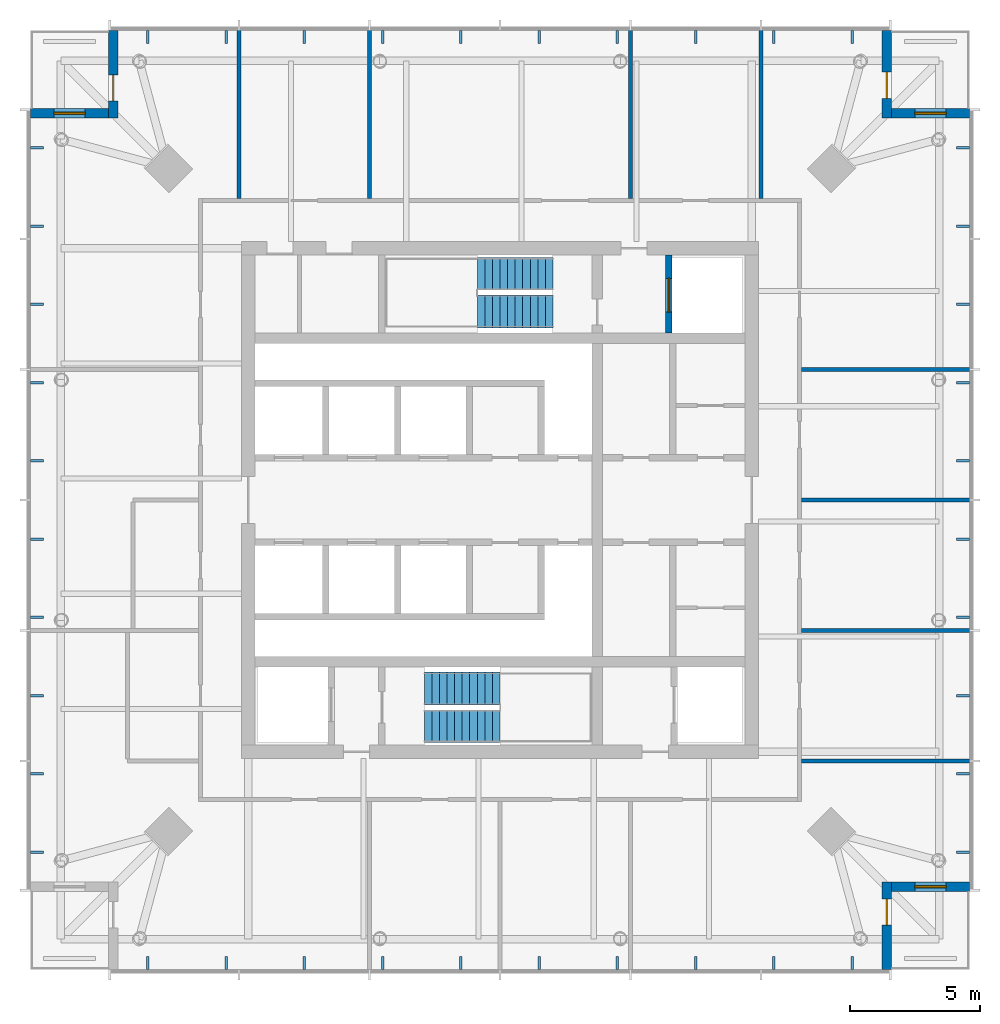
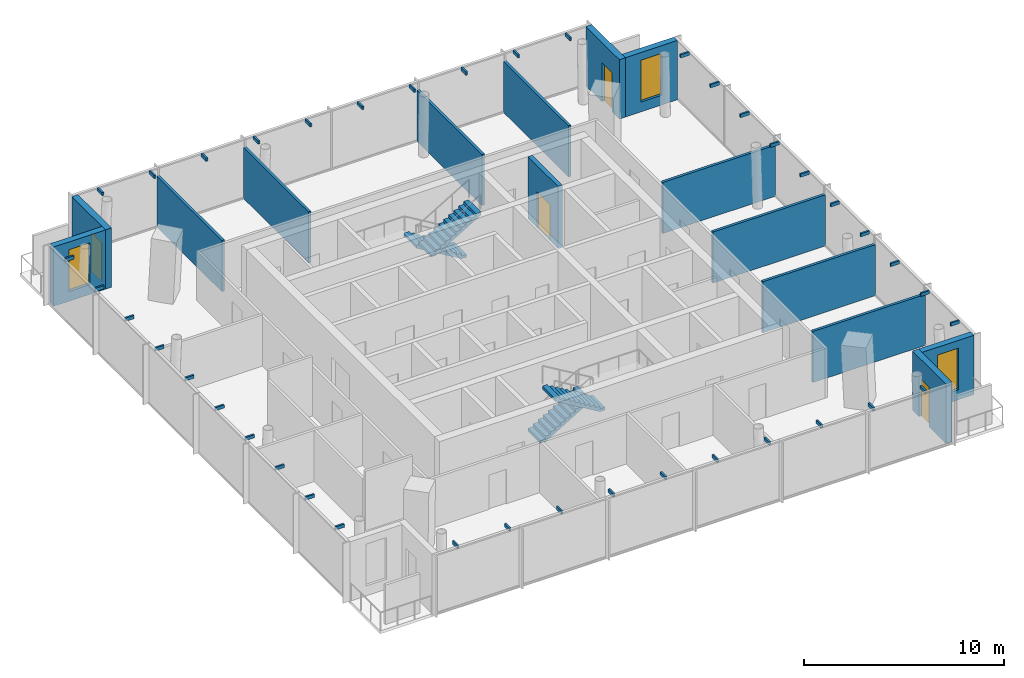
# One storey, part 6 of 7: 40 discrete accessories, 15 walls, 4 doors, 4 stair flights, 3 windows, 7 openings, 2 elements without a shape of their own.
"""IFC4 building model written with IfcOpenShell, lengths in metres."""

from ifc_helpers import new_model, si_unit, direction, frame, frame_2d, origin, origin_2d, place, context, subcontext, project, spatial, polyline, rectangle, outline, extrude, material, layer, layer_set, type_object, element, fill, aggregate, save


model = new_model("IFC4")

# Units and contexts
model_context = context("Model", 3, precision=1e-05, world=origin(), true_north=direction((0.0, 1.0)))
body_context = subcontext(model_context, "Body", "Model", "MODEL_VIEW")
ifc_project = project(units=[si_unit("LENGTHUNIT", "METRE"), si_unit("AREAUNIT", "SQUARE_METRE"), si_unit("VOLUMEUNIT", "CUBIC_METRE"), si_unit("PLANEANGLEUNIT", "RADIAN"), si_unit("MASSUNIT", "GRAM", prefix="KILO")], contexts=[model_context])

# Site, building, storey
site_placement = place(None, origin())
site = spatial("IfcSite", under=ifc_project, at=site_placement, CompositionType="ELEMENT")
building_placement = place(site_placement, origin())
building = spatial("IfcBuilding", under=site, at=building_placement, Name="Ostroluk Exchange", CompositionType="ELEMENT")
storey_placement = place(building_placement, frame((0.0, 0.0, 245.199951171875)))
storey = spatial("IfcBuildingStorey", under=building, at=storey_placement, Name="L63", CompositionType="ELEMENT", Elevation=245.199951171875)

# Wall, opening, door
ifc_material_1 = material(Name="Concrete C40/50", Category="concrete")
ifc_layer_1 = layer(ifc_material_1, 0.25)
ifc_layer_set_1 = layer_set([ifc_layer_1], Name="Core shaft wall 250")
wall_type_1 = type_object("IfcWallType", Name="Core shaft wall 250", PredefinedType="SHEAR", material=ifc_layer_set_1)
wall_1_placement = place(storey_placement, frame((51.47509765625, 52.39990234375, 0.0), z_axis=(0.0, 0.0, 1.0), x_axis=(0.0, 1.0, 0.0)))
wall_1 = element("IfcWall", 1, at=wall_1_placement, inside=storey, type_object=wall_type_1, Name="Firefighting lift shaft wall", PredefinedType="SHEAR", context=body_context, shape_type="SweptSolid", body=[
    extrude(rectangle(XDim=3.0, YDim=0.25, at=frame_2d((1.5, 0.0))), origin(), (0.0, 0.0, 1.0), 3.800048828125),
])
opening_1_placement = place(wall_1_placement, frame((0.800048828125, 0.0, 0.0)))
opening_1 = element("IfcOpeningElement", 2, at=opening_1_placement, cuts=wall_1, Name="Opening LD2", PredefinedType="OPENING", context=body_context, shape_type="SweptSolid", body=[
    extrude(rectangle(XDim=1.300048828125, YDim=2.199951171875, at=frame_2d((0.64990234375, 1.10009765625))), frame((0.0, 0.135009765625, 0.0), z_axis=(0.0, -1.0, 0.0), x_axis=(1.0, 0.0, 0.0)), (0.0, 0.0, 1.0), 0.27001953125),
])
ifc_material_2 = material(Name="Stainless steel", Category="steel")
door_type_1 = type_object("IfcDoorType", Name="Lift landing door E 60 1300 x 2200", OperationType="DOUBLE_DOOR_SLIDING", PredefinedType="DOOR", material=ifc_material_2)
door_1_placement = place(opening_1_placement, origin())
door_1 = element("IfcDoor", 3, at=door_1_placement, inside=storey, type_object=door_type_1, Name="Lift FL2 landing door", OperationType="DOUBLE_DOOR_SLIDING", OverallHeight=2.199951171875, OverallWidth=1.300048828125, PredefinedType="DOOR", context=body_context, shape_type="SweptSolid", body=[
    extrude(rectangle(XDim=1.300048828125, YDim=2.199951171875, at=frame_2d((0.64990234375, 1.10009765625))), frame((0.0, 0.02490234375, 0.0), z_axis=(0.0, -1.0, 0.0), x_axis=(1.0, 0.0, 0.0)), (0.0, 0.0, 1.0), 0.050048828125),
])
fill(opening_1, door_1)

ifc_material_3 = material(Name="Limestone", Category="masonry")
ifc_layer_2 = layer(ifc_material_3, 0.35009765625)
ifc_layer_set_2 = layer_set([ifc_layer_2], Name="Limestone facade wall 350")
wall_type_2 = type_object("IfcWallType", Name="Limestone facade wall 350", PredefinedType="SOLIDWALL", material=ifc_layer_set_2)
wall_2_placement = place(storey_placement, frame((59.824951171875, 28.0, 0.0), z_axis=(0.0, 0.0, 1.0), x_axis=(0.0, 1.0, 0.0)))
wall_2 = element("IfcWall", 4, at=wall_2_placement, inside=storey, type_object=wall_type_2, Name="Office tower SE corner wall L63 a", PredefinedType="SOLIDWALL", context=body_context, shape_type="SweptSolid", body=[
    extrude(rectangle(XDim=3.35009765625, YDim=0.35009765625, at=frame_2d((1.675048828125, 0.0))), origin(), (0.0, 0.0, 1.0), 3.6201171875),
])
opening_2_placement = place(wall_2_placement, frame((1.699951171875, 0.0, 0.0)))
opening_2 = element("IfcOpeningElement", 5, at=opening_2_placement, cuts=wall_2, Name="Opening D-B1", PredefinedType="OPENING", context=body_context, shape_type="SweptSolid", body=[
    extrude(rectangle(XDim=1.0, YDim=2.39990234375, at=frame_2d((0.5, 1.199951171875))), frame((0.0, 0.18505859375, 0.0), z_axis=(0.0, -1.0, 0.0), x_axis=(1.0, 0.0, 0.0)), (0.0, 0.0, 1.0), 0.3701171875),
])
ifc_material_4 = material(Name="Bronze framed glazed door", Category="aluminium")
door_type_2 = type_object("IfcDoorType", Name="Balcony door 1000 x 2400", OperationType="SINGLE_SWING_LEFT", PredefinedType="DOOR", material=ifc_material_4)
door_2_placement = place(opening_2_placement, origin())
door_2 = element("IfcDoor", 6, at=door_2_placement, inside=storey, type_object=door_type_2, Name="Office tower SE balcony door L63", OperationType="SINGLE_SWING_RIGHT", OverallHeight=2.39990234375, OverallWidth=1.0, PredefinedType="DOOR", context=body_context, shape_type="SweptSolid", body=[
    extrude(rectangle(XDim=1.0, YDim=2.39990234375, at=frame_2d((0.5, 1.199951171875))), frame((0.0, 0.02490234375, 0.0), z_axis=(0.0, -1.0, 0.0), x_axis=(1.0, 0.0, 0.0)), (0.0, 0.0, 1.0), 0.050048828125),
])
fill(opening_2, door_2)

# Wall, opening, window
wall_3_placement = place(storey_placement, frame((60.0, 31.175048828125, 0.0), z_axis=(0.0, 0.0, 1.0), x_axis=(1.0, 0.0, 0.0)))
wall_3 = element("IfcWall", 7, at=wall_3_placement, inside=storey, type_object=wall_type_2, Name="Office tower SE corner wall L63 b", PredefinedType="SOLIDWALL", context=body_context, shape_type="SweptSolid", body=[
    extrude(rectangle(XDim=3.0, YDim=0.35009765625, at=frame_2d((1.5, 0.0))), origin(), (0.0, 0.0, 1.0), 3.6201171875),
])
opening_3_placement = place(wall_3_placement, frame((0.89990234375, 0.0, 0.60009765625)))
opening_3 = element("IfcOpeningElement", 8, at=opening_3_placement, cuts=wall_3, Name="Opening WN-L1", PredefinedType="OPENING", context=body_context, shape_type="SweptSolid", body=[
    extrude(rectangle(XDim=1.199951171875, YDim=2.550048828125, at=frame_2d((0.60009765625, 1.27490234375))), frame((0.0, 0.18505859375, 0.0), z_axis=(0.0, -1.0, 0.0), x_axis=(1.0, 0.0, 0.0)), (0.0, 0.0, 1.0), 0.3701171875),
])
ifc_material_5 = material(Name="Laminated clear glass", Category="glass")
window_type = type_object("IfcWindowType", Name="Lancet window 1200 x 2550", PartitioningType="SINGLE_PANEL", PredefinedType="WINDOW", material=ifc_material_5)
window_1_placement = place(opening_3_placement, origin())
window_1 = element("IfcWindow", 9, at=window_1_placement, inside=storey, type_object=window_type, Name="Office tower SE lancet window L63", OverallHeight=2.550048828125, OverallWidth=1.199951171875, PartitioningType="SINGLE_PANEL", PredefinedType="WINDOW", context=body_context, shape_type="SweptSolid", body=[
    extrude(rectangle(XDim=1.199951171875, YDim=2.550048828125, at=frame_2d((0.60009765625, 1.27490234375))), frame((0.0, 0.030029296875, 0.0), z_axis=(0.0, -1.0, 0.0), x_axis=(1.0, 0.0, 0.0)), (0.0, 0.0, 1.0), 0.06005859375),
])
fill(opening_3, window_1)

# Wall, opening, door
wall_4_placement = place(storey_placement, frame((59.824951171875, 64.0, 0.0), z_axis=(0.0, 0.0, 1.0), x_axis=(0.0, -1.0, 0.0)))
wall_4 = element("IfcWall", 10, at=wall_4_placement, inside=storey, type_object=wall_type_2, Name="Office tower NE corner wall L63 a", PredefinedType="SOLIDWALL", context=body_context, shape_type="SweptSolid", body=[
    extrude(rectangle(XDim=3.35009765625, YDim=0.35009765625, at=frame_2d((1.675048828125, 0.0))), origin(), (0.0, 0.0, 1.0), 3.6201171875),
])
opening_4_placement = place(wall_4_placement, frame((1.60009765625, 0.0, 0.0)))
opening_4 = element("IfcOpeningElement", 11, at=opening_4_placement, cuts=wall_4, Name="Opening D-B1", PredefinedType="OPENING", context=body_context, shape_type="SweptSolid", body=[
    extrude(rectangle(XDim=1.0, YDim=2.39990234375, at=frame_2d((0.5, 1.199951171875))), frame((0.0, 0.18505859375, 0.0), z_axis=(0.0, -1.0, 0.0), x_axis=(1.0, 0.0, 0.0)), (0.0, 0.0, 1.0), 0.3701171875),
])
door_3_placement = place(opening_4_placement, origin())
door_3 = element("IfcDoor", 12, at=door_3_placement, inside=storey, type_object=door_type_2, Name="Office tower NE balcony door L63", OperationType="SINGLE_SWING_RIGHT", OverallHeight=2.39990234375, OverallWidth=1.0, PredefinedType="DOOR", context=body_context, shape_type="SweptSolid", body=[
    extrude(rectangle(XDim=1.0, YDim=2.39990234375, at=frame_2d((0.5, 1.199951171875))), frame((0.0, 0.02490234375, 0.0), z_axis=(0.0, -1.0, 0.0), x_axis=(1.0, 0.0, 0.0)), (0.0, 0.0, 1.0), 0.050048828125),
])
fill(opening_4, door_3)

# Wall, opening, window
wall_5_placement = place(storey_placement, frame((60.0, 60.824951171875, 0.0), z_axis=(0.0, 0.0, 1.0), x_axis=(1.0, 0.0, 0.0)))
wall_5 = element("IfcWall", 13, at=wall_5_placement, inside=storey, type_object=wall_type_2, Name="Office tower NE corner wall L63 b", PredefinedType="SOLIDWALL", context=body_context, shape_type="SweptSolid", body=[
    extrude(rectangle(XDim=3.0, YDim=0.35009765625, at=frame_2d((1.5, 0.0))), origin(), (0.0, 0.0, 1.0), 3.6201171875),
])
opening_5_placement = place(wall_5_placement, frame((0.89990234375, 0.0, 0.60009765625)))
opening_5 = element("IfcOpeningElement", 14, at=opening_5_placement, cuts=wall_5, Name="Opening WN-L1", PredefinedType="OPENING", context=body_context, shape_type="SweptSolid", body=[
    extrude(rectangle(XDim=1.199951171875, YDim=2.550048828125, at=frame_2d((0.60009765625, 1.27490234375))), frame((0.0, 0.18505859375, 0.0), z_axis=(0.0, -1.0, 0.0), x_axis=(1.0, 0.0, 0.0)), (0.0, 0.0, 1.0), 0.3701171875),
])
window_2_placement = place(opening_5_placement, origin())
window_2 = element("IfcWindow", 15, at=window_2_placement, inside=storey, type_object=window_type, Name="Office tower NE lancet window L63", OverallHeight=2.550048828125, OverallWidth=1.199951171875, PartitioningType="SINGLE_PANEL", PredefinedType="WINDOW", context=body_context, shape_type="SweptSolid", body=[
    extrude(rectangle(XDim=1.199951171875, YDim=2.550048828125, at=frame_2d((0.60009765625, 1.27490234375))), frame((0.0, 0.030029296875, 0.0), z_axis=(0.0, -1.0, 0.0), x_axis=(1.0, 0.0, 0.0)), (0.0, 0.0, 1.0), 0.06005859375),
])
fill(opening_5, window_2)

# Wall, opening, door
wall_6_placement = place(storey_placement, frame((30.175048828125, 64.0, 0.0), z_axis=(0.0, 0.0, 1.0), x_axis=(0.0, -1.0, 0.0)))
wall_6 = element("IfcWall", 16, at=wall_6_placement, inside=storey, type_object=wall_type_2, Name="Office tower NW corner wall L63 a", PredefinedType="SOLIDWALL", context=body_context, shape_type="SweptSolid", body=[
    extrude(rectangle(XDim=3.35009765625, YDim=0.35009765625, at=frame_2d((1.675048828125, 0.0))), origin(), (0.0, 0.0, 1.0), 3.6201171875),
])
opening_6_placement = place(wall_6_placement, frame((1.699951171875, 0.0, 0.0)))
opening_6 = element("IfcOpeningElement", 17, at=opening_6_placement, cuts=wall_6, Name="Opening D-B1", PredefinedType="OPENING", context=body_context, shape_type="SweptSolid", body=[
    extrude(rectangle(XDim=1.0, YDim=2.39990234375, at=frame_2d((0.5, 1.199951171875))), frame((0.0, 0.18505859375, 0.0), z_axis=(0.0, -1.0, 0.0), x_axis=(1.0, 0.0, 0.0)), (0.0, 0.0, 1.0), 0.3701171875),
])
door_4_placement = place(opening_6_placement, origin())
door_4 = element("IfcDoor", 18, at=door_4_placement, inside=storey, type_object=door_type_2, Name="Office tower NW balcony door L63", OperationType="SINGLE_SWING_RIGHT", OverallHeight=2.39990234375, OverallWidth=1.0, PredefinedType="DOOR", context=body_context, shape_type="SweptSolid", body=[
    extrude(rectangle(XDim=1.0, YDim=2.39990234375, at=frame_2d((0.5, 1.199951171875))), frame((0.0, 0.02490234375, 0.0), z_axis=(0.0, -1.0, 0.0), x_axis=(1.0, 0.0, 0.0)), (0.0, 0.0, 1.0), 0.050048828125),
])
fill(opening_6, door_4)

# Wall, opening, window
wall_7_placement = place(storey_placement, frame((30.0, 60.824951171875, 0.0), z_axis=(0.0, 0.0, 1.0), x_axis=(-1.0, 0.0, 0.0)))
wall_7 = element("IfcWall", 19, at=wall_7_placement, inside=storey, type_object=wall_type_2, Name="Office tower NW corner wall L63 b", PredefinedType="SOLIDWALL", context=body_context, shape_type="SweptSolid", body=[
    extrude(rectangle(XDim=3.0, YDim=0.35009765625, at=frame_2d((1.5, 0.0))), origin(), (0.0, 0.0, 1.0), 3.6201171875),
])
opening_7_placement = place(wall_7_placement, frame((0.89990234375, 0.0, 0.60009765625)))
opening_7 = element("IfcOpeningElement", 20, at=opening_7_placement, cuts=wall_7, Name="Opening WN-L1", PredefinedType="OPENING", context=body_context, shape_type="SweptSolid", body=[
    extrude(rectangle(XDim=1.199951171875, YDim=2.550048828125, at=frame_2d((0.60009765625, 1.27490234375))), frame((0.0, 0.18505859375, 0.0), z_axis=(0.0, -1.0, 0.0), x_axis=(1.0, 0.0, 0.0)), (0.0, 0.0, 1.0), 0.3701171875),
])
window_3_placement = place(opening_7_placement, origin())
window_3 = element("IfcWindow", 21, at=window_3_placement, inside=storey, type_object=window_type, Name="Office tower NW lancet window L63", OverallHeight=2.550048828125, OverallWidth=1.199951171875, PartitioningType="SINGLE_PANEL", PredefinedType="WINDOW", context=body_context, shape_type="SweptSolid", body=[
    extrude(rectangle(XDim=1.199951171875, YDim=2.550048828125, at=frame_2d((0.60009765625, 1.27490234375))), frame((0.0, 0.030029296875, 0.0), z_axis=(0.0, -1.0, 0.0), x_axis=(1.0, 0.0, 0.0)), (0.0, 0.0, 1.0), 0.06005859375),
])
fill(opening_7, window_3)

# Walls
ifc_material_6 = material(Name="Gypsum plasterboard partition", Category="gypsum")
ifc_layer_3 = layer(ifc_material_6, 0.14990234375)
ifc_layer_set_3 = layer_set([ifc_layer_3], Name="Plasterboard partition 150")
wall_type_3 = type_object("IfcWallType", Name="Plasterboard partition 150", PredefinedType="PARTITIONING", material=ifc_layer_set_3)
for number, where, z_axis, x_axis, name in (
    (22, (56.550048828125, 36.0, 0.0), (0.0, 0.0, 1.0), (1.0, 0.0, 0.0), "Partition"),
    (23, (56.550048828125, 41.0, 0.0), (0.0, 0.0, 1.0), (1.0, 0.0, 0.0), "Partition"),
    (24, (56.550048828125, 46.0, 0.0), (0.0, 0.0, 1.0), (1.0, 0.0, 0.0), "Partition"),
    (25, (56.550048828125, 51.0, 0.0), (0.0, 0.0, 1.0), (1.0, 0.0, 0.0), "Partition"),
    (26, (55.0, 57.550048828125, 0.0), (0.0, 0.0, 1.0), (0.0, 1.0, 0.0), "Partition"),
    (27, (50.0, 57.550048828125, 0.0), (0.0, 0.0, 1.0), (0.0, 1.0, 0.0), "Partition"),
    (28, (40.0, 57.550048828125, 0.0), (0.0, 0.0, 1.0), (0.0, 1.0, 0.0), "Partition"),
    (29, (35.0, 57.550048828125, 0.0), (0.0, 0.0, 1.0), (0.0, 1.0, 0.0), "Partition"),
):
    element("IfcWall", number, at=place(storey_placement, frame(where, z_axis=z_axis, x_axis=x_axis)), inside=storey, type_object=wall_type_3, Name=name, PredefinedType="PARTITIONING", context=body_context, shape_type="SweptSolid", body=[
        extrude(rectangle(XDim=6.489990234375, YDim=0.14990234375, at=frame_2d((3.2451171875, 0.0))), origin(), (0.0, 0.0, 1.0), 3.1201171875),
    ])

# Stair, stair flights
ifc_material_7 = material(Name="Concrete C30/37", Category="concrete")
stair_type = type_object("IfcStairType", Name="Exit stair half turn 3800", PredefinedType="HALF_TURN_STAIR", material=ifc_material_7)
stair_1_placement = place(storey_placement, origin())
stair_1 = element("IfcStair", 30, at=stair_1_placement, inside=storey, type_object=stair_type, Name="Stair T1-S1 L63", PredefinedType="HALF_TURN_STAIR")
ifc_material_8 = material(Name="Concrete C30/37", Category="concrete")
stair_flight_type = type_object("IfcStairFlightType", Name="Stair flight 11 risers 172.7 x 290", PredefinedType="STRAIGHT", material=ifc_material_8)
stair_flight_1_placement = place(storey_placement, frame((42.10009765625, 38.77490234375, 0.0), z_axis=(0.0, 0.0, 1.0), x_axis=(1.0, 0.0, 0.0)))
stair_flight_1 = element("IfcStairFlight", 31, at=stair_flight_1_placement, type_object=stair_flight_type, Name="T1-S1 flight 1", NumberOfRisers=11, NumberOfTreads=10, PredefinedType="STRAIGHT", RiserHeight=0.172727273, TreadLength=0.29, context=body_context, shape_type="SweptSolid", body=[
    extrude(outline(polyline([(0.0, 0.0), (0.0, 0.172607421875), (0.2900390625, 0.172607421875), (0.2900390625, 0.345458984375), (0.580078125, 0.345458984375), (0.580078125, 0.51806640625), (0.8701171875, 0.51806640625), (0.8701171875, 0.69091796875), (1.159912109375, 0.69091796875), (1.159912109375, 0.863525390625), (1.449951171875, 0.863525390625), (1.449951171875, 1.036376953125), (1.739990234375, 1.036376953125), (1.739990234375, 1.208984375), (2.030029296875, 1.208984375), (2.030029296875, 1.3818359375), (2.320068359375, 1.3818359375), (2.320068359375, 1.554443359375), (2.610107421875, 1.554443359375), (2.610107421875, 1.727294921875), (2.89990234375, 1.727294921875), (2.89990234375, 1.89990234375), (2.89990234375, 1.552734375), (0.29296875, 0.0), (0.0, 0.0)])), frame((0.0, 0.625, 0.0), z_axis=(0.0, -1.0, 0.0), x_axis=(1.0, 0.0, 0.0)), (0.0, 0.0, 1.0), 1.25),
])
stair_flight_2_placement = place(storey_placement, frame((45.0, 37.324951171875, 1.900146484375), z_axis=(0.0, 0.0, 1.0), x_axis=(-1.0, 0.0, 0.0)))
stair_flight_2 = element("IfcStairFlight", 32, at=stair_flight_2_placement, type_object=stair_flight_type, Name="T1-S1 flight 2", NumberOfRisers=11, NumberOfTreads=10, PredefinedType="STRAIGHT", RiserHeight=0.172727273, TreadLength=0.29, context=body_context, shape_type="SweptSolid", body=[
    extrude(outline(polyline([(0.0, 0.0), (0.0, 0.172607421875), (0.2900390625, 0.172607421875), (0.2900390625, 0.345458984375), (0.580078125, 0.345458984375), (0.580078125, 0.51806640625), (0.8701171875, 0.51806640625), (0.8701171875, 0.69091796875), (1.159912109375, 0.69091796875), (1.159912109375, 0.863525390625), (1.449951171875, 0.863525390625), (1.449951171875, 1.036376953125), (1.739990234375, 1.036376953125), (1.739990234375, 1.208984375), (2.030029296875, 1.208984375), (2.030029296875, 1.3818359375), (2.320068359375, 1.3818359375), (2.320068359375, 1.554443359375), (2.610107421875, 1.554443359375), (2.610107421875, 1.727294921875), (2.89990234375, 1.727294921875), (2.89990234375, 1.89990234375), (2.89990234375, 1.552734375), (0.29296875, 0.0), (0.0, 0.0)])), frame((0.0, 0.625, 0.0), z_axis=(0.0, -1.0, 0.0), x_axis=(1.0, 0.0, 0.0)), (0.0, 0.0, 1.0), 1.25),
])
aggregate(stair_1, [stair_flight_1, stair_flight_2])

stair_2_placement = place(storey_placement, origin())
stair_2 = element("IfcStair", 33, at=stair_2_placement, inside=storey, type_object=stair_type, Name="Stair T1-S2 L63", PredefinedType="HALF_TURN_STAIR")
stair_flight_3_placement = place(storey_placement, frame((47.030029296875, 54.675048828125, 0.0), z_axis=(0.0, 0.0, 1.0), x_axis=(-1.0, 0.0, 0.0)))
stair_flight_3 = element("IfcStairFlight", 34, at=stair_flight_3_placement, type_object=stair_flight_type, Name="T1-S2 flight 1", NumberOfRisers=11, NumberOfTreads=10, PredefinedType="STRAIGHT", RiserHeight=0.172727273, TreadLength=0.29, context=body_context, shape_type="SweptSolid", body=[
    extrude(outline(polyline([(0.0, 0.0), (0.0, 0.172607421875), (0.2900390625, 0.172607421875), (0.2900390625, 0.345458984375), (0.580078125, 0.345458984375), (0.580078125, 0.51806640625), (0.8701171875, 0.51806640625), (0.8701171875, 0.69091796875), (1.159912109375, 0.69091796875), (1.159912109375, 0.863525390625), (1.449951171875, 0.863525390625), (1.449951171875, 1.036376953125), (1.739990234375, 1.036376953125), (1.739990234375, 1.208984375), (2.030029296875, 1.208984375), (2.030029296875, 1.3818359375), (2.320068359375, 1.3818359375), (2.320068359375, 1.554443359375), (2.610107421875, 1.554443359375), (2.610107421875, 1.727294921875), (2.89990234375, 1.727294921875), (2.89990234375, 1.89990234375), (2.89990234375, 1.552734375), (0.29296875, 0.0), (0.0, 0.0)])), frame((0.0, 0.625, 0.0), z_axis=(0.0, -1.0, 0.0), x_axis=(1.0, 0.0, 0.0)), (0.0, 0.0, 1.0), 1.25),
])
stair_flight_4_placement = place(storey_placement, frame((44.1298828125, 53.22509765625, 1.900146484375), z_axis=(0.0, 0.0, 1.0), x_axis=(1.0, 0.0, 0.0)))
stair_flight_4 = element("IfcStairFlight", 35, at=stair_flight_4_placement, type_object=stair_flight_type, Name="T1-S2 flight 2", NumberOfRisers=11, NumberOfTreads=10, PredefinedType="STRAIGHT", RiserHeight=0.172727273, TreadLength=0.29, context=body_context, shape_type="SweptSolid", body=[
    extrude(outline(polyline([(0.0, 0.0), (0.0, 0.172607421875), (0.2900390625, 0.172607421875), (0.2900390625, 0.345458984375), (0.580078125, 0.345458984375), (0.580078125, 0.51806640625), (0.8701171875, 0.51806640625), (0.8701171875, 0.69091796875), (1.159912109375, 0.69091796875), (1.159912109375, 0.863525390625), (1.449951171875, 0.863525390625), (1.449951171875, 1.036376953125), (1.739990234375, 1.036376953125), (1.739990234375, 1.208984375), (2.030029296875, 1.208984375), (2.030029296875, 1.3818359375), (2.320068359375, 1.3818359375), (2.320068359375, 1.554443359375), (2.610107421875, 1.554443359375), (2.610107421875, 1.727294921875), (2.89990234375, 1.727294921875), (2.89990234375, 1.89990234375), (2.89990234375, 1.552734375), (0.29296875, 0.0), (0.0, 0.0)])), frame((0.0, 0.625, 0.0), z_axis=(0.0, -1.0, 0.0), x_axis=(1.0, 0.0, 0.0)), (0.0, 0.0, 1.0), 1.25),
])
aggregate(stair_2, [stair_flight_3, stair_flight_4])

# Discrete accessories
ifc_material_9 = material(Name="Steel S355", Category="steel")
discrete_accessory_type = type_object("IfcDiscreteAccessoryType", Name="Maintenance roof bracket", PredefinedType="BRACKET", material=ifc_material_9)
for number, where, z_axis, x_axis, name in (
    (36, (31.5, 28.25, 3.4501953125), (0.0, 0.0, 1.0), (1.0, 0.0, 0.0), "Maintenance roof bracket L64 south 1"),
    (37, (34.5, 28.25, 3.4501953125), (0.0, 0.0, 1.0), (1.0, 0.0, 0.0), "Maintenance roof bracket L64 south 2"),
    (38, (37.5, 28.25, 3.4501953125), (0.0, 0.0, 1.0), (1.0, 0.0, 0.0), "Maintenance roof bracket L64 south 3"),
    (39, (40.5, 28.25, 3.4501953125), (0.0, 0.0, 1.0), (1.0, 0.0, 0.0), "Maintenance roof bracket L64 south 4"),
    (40, (43.5, 28.25, 3.4501953125), (0.0, 0.0, 1.0), (1.0, 0.0, 0.0), "Maintenance roof bracket L64 south 5"),
    (41, (46.5, 28.25, 3.4501953125), (0.0, 0.0, 1.0), (1.0, 0.0, 0.0), "Maintenance roof bracket L64 south 6"),
    (42, (49.5, 28.25, 3.4501953125), (0.0, 0.0, 1.0), (1.0, 0.0, 0.0), "Maintenance roof bracket L64 south 7"),
    (43, (52.5, 28.25, 3.4501953125), (0.0, 0.0, 1.0), (1.0, 0.0, 0.0), "Maintenance roof bracket L64 south 8"),
    (44, (55.5, 28.25, 3.4501953125), (0.0, 0.0, 1.0), (1.0, 0.0, 0.0), "Maintenance roof bracket L64 south 9"),
    (45, (58.5, 28.25, 3.4501953125), (0.0, 0.0, 1.0), (1.0, 0.0, 0.0), "Maintenance roof bracket L64 south 10"),
):
    element("IfcDiscreteAccessory", number, at=place(storey_placement, frame(where, z_axis=z_axis, x_axis=x_axis)), inside=storey, type_object=discrete_accessory_type, Name=name, PredefinedType="BRACKET", context=body_context, shape_type="SweptSolid", body=[
        extrude(rectangle(XDim=0.10009765625, YDim=0.5, at=origin_2d()), origin(), (0.0, 0.0, 1.0), 0.199951171875),
    ])
for number, where, z_axis, x_axis, name in (
    (46, (62.75, 32.5, 3.4501953125), (0.0, 0.0, 1.0), (1.0, 0.0, 0.0), "Maintenance roof bracket L64 east 1"),
    (47, (62.75, 35.5, 3.4501953125), (0.0, 0.0, 1.0), (1.0, 0.0, 0.0), "Maintenance roof bracket L64 east 2"),
    (48, (62.75, 38.5, 3.4501953125), (0.0, 0.0, 1.0), (1.0, 0.0, 0.0), "Maintenance roof bracket L64 east 3"),
    (49, (62.75, 41.5, 3.4501953125), (0.0, 0.0, 1.0), (1.0, 0.0, 0.0), "Maintenance roof bracket L64 east 4"),
    (50, (62.75, 44.5, 3.4501953125), (0.0, 0.0, 1.0), (1.0, 0.0, 0.0), "Maintenance roof bracket L64 east 5"),
    (51, (62.75, 47.5, 3.4501953125), (0.0, 0.0, 1.0), (1.0, 0.0, 0.0), "Maintenance roof bracket L64 east 6"),
    (52, (62.75, 50.5, 3.4501953125), (0.0, 0.0, 1.0), (1.0, 0.0, 0.0), "Maintenance roof bracket L64 east 7"),
    (53, (62.75, 53.5, 3.4501953125), (0.0, 0.0, 1.0), (1.0, 0.0, 0.0), "Maintenance roof bracket L64 east 8"),
    (54, (62.75, 56.5, 3.4501953125), (0.0, 0.0, 1.0), (1.0, 0.0, 0.0), "Maintenance roof bracket L64 east 9"),
    (55, (62.75, 59.5, 3.4501953125), (0.0, 0.0, 1.0), (1.0, 0.0, 0.0), "Maintenance roof bracket L64 east 10"),
):
    element("IfcDiscreteAccessory", number, at=place(storey_placement, frame(where, z_axis=z_axis, x_axis=x_axis)), inside=storey, type_object=discrete_accessory_type, Name=name, PredefinedType="BRACKET", context=body_context, shape_type="SweptSolid", body=[
        extrude(rectangle(XDim=0.5, YDim=0.10009765625, at=origin_2d()), origin(), (0.0, 0.0, 1.0), 0.199951171875),
    ])
for number, where, z_axis, x_axis, name in (
    (56, (31.5, 63.75, 3.4501953125), (0.0, 0.0, 1.0), (1.0, 0.0, 0.0), "Maintenance roof bracket L64 north 1"),
    (57, (34.5, 63.75, 3.4501953125), (0.0, 0.0, 1.0), (1.0, 0.0, 0.0), "Maintenance roof bracket L64 north 2"),
    (58, (37.5, 63.75, 3.4501953125), (0.0, 0.0, 1.0), (1.0, 0.0, 0.0), "Maintenance roof bracket L64 north 3"),
    (59, (40.5, 63.75, 3.4501953125), (0.0, 0.0, 1.0), (1.0, 0.0, 0.0), "Maintenance roof bracket L64 north 4"),
    (60, (43.5, 63.75, 3.4501953125), (0.0, 0.0, 1.0), (1.0, 0.0, 0.0), "Maintenance roof bracket L64 north 5"),
    (61, (46.5, 63.75, 3.4501953125), (0.0, 0.0, 1.0), (1.0, 0.0, 0.0), "Maintenance roof bracket L64 north 6"),
    (62, (49.5, 63.75, 3.4501953125), (0.0, 0.0, 1.0), (1.0, 0.0, 0.0), "Maintenance roof bracket L64 north 7"),
    (63, (52.5, 63.75, 3.4501953125), (0.0, 0.0, 1.0), (1.0, 0.0, 0.0), "Maintenance roof bracket L64 north 8"),
    (64, (55.5, 63.75, 3.4501953125), (0.0, 0.0, 1.0), (1.0, 0.0, 0.0), "Maintenance roof bracket L64 north 9"),
    (65, (58.5, 63.75, 3.4501953125), (0.0, 0.0, 1.0), (1.0, 0.0, 0.0), "Maintenance roof bracket L64 north 10"),
):
    element("IfcDiscreteAccessory", number, at=place(storey_placement, frame(where, z_axis=z_axis, x_axis=x_axis)), inside=storey, type_object=discrete_accessory_type, Name=name, PredefinedType="BRACKET", context=body_context, shape_type="SweptSolid", body=[
        extrude(rectangle(XDim=0.10009765625, YDim=0.5, at=origin_2d()), origin(), (0.0, 0.0, 1.0), 0.199951171875),
    ])
for number, where, z_axis, x_axis, name in (
    (66, (27.25, 32.5, 3.4501953125), (0.0, 0.0, 1.0), (1.0, 0.0, 0.0), "Maintenance roof bracket L64 west 1"),
    (67, (27.25, 35.5, 3.4501953125), (0.0, 0.0, 1.0), (1.0, 0.0, 0.0), "Maintenance roof bracket L64 west 2"),
    (68, (27.25, 38.5, 3.4501953125), (0.0, 0.0, 1.0), (1.0, 0.0, 0.0), "Maintenance roof bracket L64 west 3"),
    (69, (27.25, 41.5, 3.4501953125), (0.0, 0.0, 1.0), (1.0, 0.0, 0.0), "Maintenance roof bracket L64 west 4"),
    (70, (27.25, 44.5, 3.4501953125), (0.0, 0.0, 1.0), (1.0, 0.0, 0.0), "Maintenance roof bracket L64 west 5"),
    (71, (27.25, 47.5, 3.4501953125), (0.0, 0.0, 1.0), (1.0, 0.0, 0.0), "Maintenance roof bracket L64 west 6"),
    (72, (27.25, 50.5, 3.4501953125), (0.0, 0.0, 1.0), (1.0, 0.0, 0.0), "Maintenance roof bracket L64 west 7"),
    (73, (27.25, 53.5, 3.4501953125), (0.0, 0.0, 1.0), (1.0, 0.0, 0.0), "Maintenance roof bracket L64 west 8"),
    (74, (27.25, 56.5, 3.4501953125), (0.0, 0.0, 1.0), (1.0, 0.0, 0.0), "Maintenance roof bracket L64 west 9"),
    (75, (27.25, 59.5, 3.4501953125), (0.0, 0.0, 1.0), (1.0, 0.0, 0.0), "Maintenance roof bracket L64 west 10"),
):
    element("IfcDiscreteAccessory", number, at=place(storey_placement, frame(where, z_axis=z_axis, x_axis=x_axis)), inside=storey, type_object=discrete_accessory_type, Name=name, PredefinedType="BRACKET", context=body_context, shape_type="SweptSolid", body=[
        extrude(rectangle(XDim=0.5, YDim=0.10009765625, at=origin_2d()), origin(), (0.0, 0.0, 1.0), 0.199951171875),
    ])

save(model, "model.ifc")
